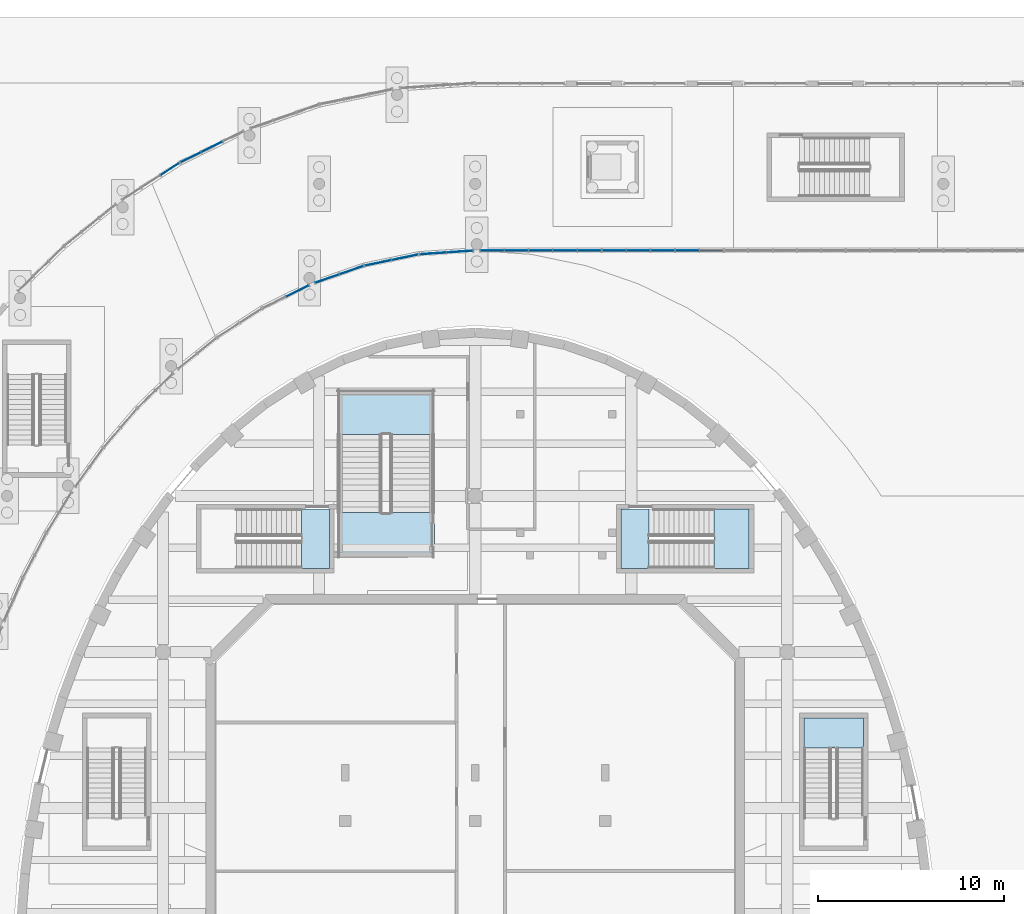
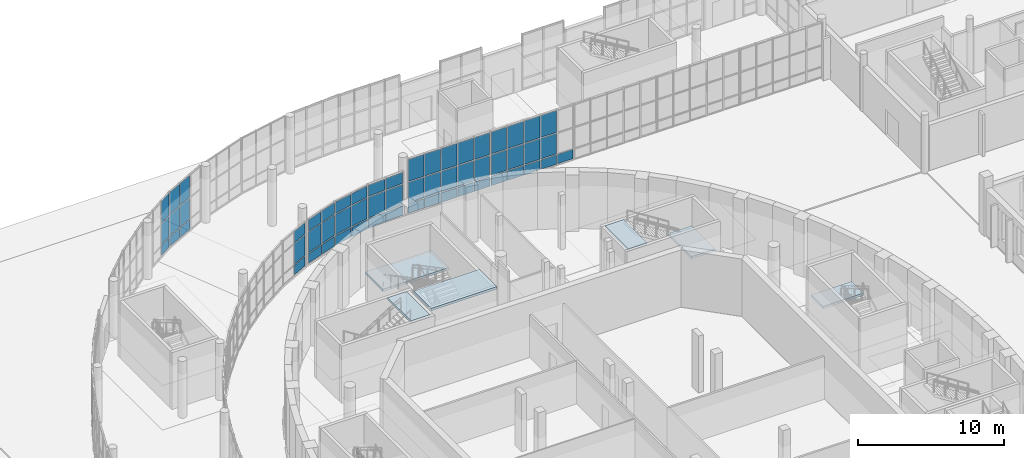
# One storey, part 49 of 110: 58 plates, 6 slabs, 12 elements without a shape of their own.
"""IFC4 building model written with IfcOpenShell, lengths in metres."""

from ifc_helpers import new_model, si_unit, direction, frame, origin, origin_2d, place, context, subcontext, project, spatial, polyline, rectangle, outline, extrude, material, layer, layer_set, type_object, element, aggregate, save


model = new_model("IFC4")

# Units and contexts
model_context = context("Model", 3, precision=1e-05, world=origin(), true_north=direction((0.0, 1.0)))
body_context = subcontext(model_context, "Body", "Model", "MODEL_VIEW")
ifc_project = project(units=[si_unit("LENGTHUNIT", "METRE"), si_unit("AREAUNIT", "SQUARE_METRE"), si_unit("VOLUMEUNIT", "CUBIC_METRE"), si_unit("PLANEANGLEUNIT", "RADIAN"), si_unit("MASSUNIT", "GRAM", prefix="KILO")], contexts=[model_context])

# Site, building, storey
site_placement = place(None, origin())
site = spatial("IfcSite", under=ifc_project, at=site_placement, CompositionType="ELEMENT")
building_placement = place(site_placement, origin())
building = spatial("IfcBuilding", under=site, at=building_placement, Name="Larchfold Concert Hall", CompositionType="ELEMENT")
storey_placement = place(building_placement, origin())
storey = spatial("IfcBuildingStorey", under=building, at=storey_placement, Name="L00", CompositionType="ELEMENT", Elevation=0.0)

# Curtain wall, plates
ifc_material_1 = material(Name="Anodised graphite aluminium curtain wall", Category="aluminium")
ifc_layer_1 = layer(ifc_material_1, 0.14990234375)
ifc_layer_set_1 = layer_set([ifc_layer_1], Name="Anodised graphite aluminium curtain wall")
curtain_wall_type = type_object("IfcCurtainWallType", Name="Curtain wall WG", PredefinedType="NOTDEFINED", material=ifc_layer_set_1)
curtain_wall_1_placement = place(storey_placement, origin())
curtain_wall_1 = element("IfcCurtainWall", 1, at=curtain_wall_1_placement, inside=storey, type_object=curtain_wall_type, Name="Curtain wall CW0086", PredefinedType="NOTDEFINED")
ifc_material_2 = material(Name="Insulated glazing unit, glass", Category="glass")
ifc_layer_2 = layer(ifc_material_2, 0.028076171875)
ifc_layer_set_2 = layer_set([ifc_layer_2], Name="Insulated glazing unit, glass")
plate_type_1 = type_object("IfcPlateType", Name="Glass panel 28", PredefinedType="CURTAIN_PANEL", material=ifc_layer_set_2)
plate_1_placement = place(storey_placement, frame((33.030029296875, 120.829345703125, 0.93994140625), z_axis=(0.0, 0.0, 1.0), x_axis=(0.896864773907, 0.442304846598, 0.0)))
plate_1 = element("IfcPlate", 2, at=plate_1_placement, type_object=plate_type_1, Name="CW0086 panel 2.2", PredefinedType="CURTAIN_PANEL", context=body_context, shape_type="SweptSolid", body=[
    extrude(rectangle(XDim=1.324462890625, YDim=0.028076171875, at=origin_2d()), origin(), (0.0, 0.0, 1.0), 1.719970703125),
])
plate_2_placement = place(storey_placement, frame((33.030029296875, 120.829345703125, 2.740234375), z_axis=(0.0, 0.0, 1.0), x_axis=(0.896864773907, 0.442304846598, 0.0)))
plate_2 = element("IfcPlate", 3, at=plate_2_placement, type_object=plate_type_1, Name="CW0086 panel 2.3", PredefinedType="CURTAIN_PANEL", context=body_context, shape_type="SweptSolid", body=[
    extrude(rectangle(XDim=1.324462890625, YDim=0.028076171875, at=origin_2d()), origin(), (0.0, 0.0, 1.0), 0.929931640625),
])

curtain_wall_2_placement = place(storey_placement, origin())
curtain_wall_2 = element("IfcCurtainWall", 4, at=curtain_wall_2_placement, inside=storey, type_object=curtain_wall_type, Name="Curtain wall CW0087", PredefinedType="NOTDEFINED")
plate_3_placement = place(storey_placement, frame((34.627685546875, 121.49609375, 0.93994140625), z_axis=(0.0, 0.0, 1.0), x_axis=(0.944341810504, 0.32896587199, 0.0)))
plate_3 = element("IfcPlate", 5, at=plate_3_placement, type_object=plate_type_1, Name="CW0087 panel 1.2", PredefinedType="CURTAIN_PANEL", context=body_context, shape_type="SweptSolid", body=[
    extrude(rectangle(XDim=1.32421875, YDim=0.028076171875, at=origin_2d()), origin(), (0.0, 0.0, 1.0), 1.719970703125),
])
plate_4_placement = place(storey_placement, frame((34.627685546875, 121.49609375, 2.740234375), z_axis=(0.0, 0.0, 1.0), x_axis=(0.944341810504, 0.32896587199, 0.0)))
plate_4 = element("IfcPlate", 6, at=plate_4_placement, type_object=plate_type_1, Name="CW0087 panel 1.3", PredefinedType="CURTAIN_PANEL", context=body_context, shape_type="SweptSolid", body=[
    extrude(rectangle(XDim=1.32421875, YDim=0.028076171875, at=origin_2d()), origin(), (0.0, 0.0, 1.0), 0.929931640625),
])
plate_5_placement = place(storey_placement, frame((35.934814453125, 121.951416015625, 0.93994140625), z_axis=(0.0, 0.0, 1.0), x_axis=(0.944341810504, 0.32896587199, 0.0)))
plate_5 = element("IfcPlate", 7, at=plate_5_placement, type_object=plate_type_1, Name="CW0087 panel 2.2", PredefinedType="CURTAIN_PANEL", context=body_context, shape_type="SweptSolid", body=[
    extrude(rectangle(XDim=1.32421875, YDim=0.028076171875, at=origin_2d()), origin(), (0.0, 0.0, 1.0), 1.719970703125),
])
plate_6_placement = place(storey_placement, frame((35.934814453125, 121.951416015625, 2.740234375), z_axis=(0.0, 0.0, 1.0), x_axis=(0.944341810504, 0.32896587199, 0.0)))
plate_6 = element("IfcPlate", 8, at=plate_6_placement, type_object=plate_type_1, Name="CW0087 panel 2.3", PredefinedType="CURTAIN_PANEL", context=body_context, shape_type="SweptSolid", body=[
    extrude(rectangle(XDim=1.32421875, YDim=0.028076171875, at=origin_2d()), origin(), (0.0, 0.0, 1.0), 0.929931640625),
])

curtain_wall_3_placement = place(storey_placement, origin())
curtain_wall_3 = element("IfcCurtainWall", 9, at=curtain_wall_3_placement, inside=storey, type_object=curtain_wall_type, Name="Curtain wall CW0088", PredefinedType="NOTDEFINED")
plate_7_placement = place(storey_placement, frame((37.370361328125, 122.34521484375, 0.93994140625), z_axis=(0.0, 0.0, 1.0), x_axis=(0.979165703957, 0.203062857741, 0.0)))
plate_7 = element("IfcPlate", 10, at=plate_7_placement, type_object=plate_type_1, Name="CW0088 panel 1.2", PredefinedType="CURTAIN_PANEL", context=body_context, shape_type="SweptSolid", body=[
    extrude(rectangle(XDim=1.41943359375, YDim=0.028076171875, at=origin_2d()), origin(), (0.0, 0.0, 1.0), 1.719970703125),
])
plate_8_placement = place(storey_placement, frame((37.370361328125, 122.34521484375, 2.740234375), z_axis=(0.0, 0.0, 1.0), x_axis=(0.979165703957, 0.203062857741, 0.0)))
plate_8 = element("IfcPlate", 11, at=plate_8_placement, type_object=plate_type_1, Name="CW0088 panel 1.3", PredefinedType="CURTAIN_PANEL", context=body_context, shape_type="SweptSolid", body=[
    extrude(rectangle(XDim=1.41943359375, YDim=0.028076171875, at=origin_2d()), origin(), (0.0, 0.0, 1.0), 0.929931640625),
])
plate_9_placement = place(storey_placement, frame((38.819091796875, 122.645751953125, 0.93994140625), z_axis=(0.0, 0.0, 1.0), x_axis=(0.979165703957, 0.203062857741, 0.0)))
plate_9 = element("IfcPlate", 12, at=plate_9_placement, type_object=plate_type_1, Name="CW0088 panel 2.2", PredefinedType="CURTAIN_PANEL", context=body_context, shape_type="SweptSolid", body=[
    extrude(rectangle(XDim=1.41943359375, YDim=0.028076171875, at=origin_2d()), origin(), (0.0, 0.0, 1.0), 1.719970703125),
])
plate_10_placement = place(storey_placement, frame((38.819091796875, 122.645751953125, 2.740234375), z_axis=(0.0, 0.0, 1.0), x_axis=(0.979165703957, 0.203062857741, 0.0)))
plate_10 = element("IfcPlate", 13, at=plate_10_placement, type_object=plate_type_1, Name="CW0088 panel 2.3", PredefinedType="CURTAIN_PANEL", context=body_context, shape_type="SweptSolid", body=[
    extrude(rectangle(XDim=1.41943359375, YDim=0.028076171875, at=origin_2d()), origin(), (0.0, 0.0, 1.0), 0.929931640625),
])

curtain_wall_4_placement = place(storey_placement, origin())
curtain_wall_4 = element("IfcCurtainWall", 14, at=curtain_wall_4_placement, inside=storey, type_object=curtain_wall_type, Name="Curtain wall CW0089", PredefinedType="NOTDEFINED")
plate_11_placement = place(storey_placement, frame((40.323486328125, 122.853759765625, 0.93994140625), z_axis=(0.0, 0.0, 1.0), x_axis=(0.997637375842, 0.068699827674, 0.0)))
plate_11 = element("IfcPlate", 15, at=plate_11_placement, type_object=plate_type_1, Name="CW0089 panel 1.2", PredefinedType="CURTAIN_PANEL", context=body_context, shape_type="SweptSolid", body=[
    extrude(rectangle(XDim=1.384765625, YDim=0.028076171875, at=origin_2d()), origin(), (0.0, 0.0, 1.0), 1.719970703125),
])
plate_12_placement = place(storey_placement, frame((40.323486328125, 122.853759765625, 2.740234375), z_axis=(0.0, 0.0, 1.0), x_axis=(0.997637375842, 0.068699827674, 0.0)))
plate_12 = element("IfcPlate", 16, at=plate_12_placement, type_object=plate_type_1, Name="CW0089 panel 1.3", PredefinedType="CURTAIN_PANEL", context=body_context, shape_type="SweptSolid", body=[
    extrude(rectangle(XDim=1.384765625, YDim=0.028076171875, at=origin_2d()), origin(), (0.0, 0.0, 1.0), 0.929931640625),
])
plate_13_placement = place(storey_placement, frame((41.7646484375, 122.952880859375, 0.93994140625), z_axis=(0.0, 0.0, 1.0), x_axis=(0.997637375842, 0.068699827674, 0.0)))
plate_13 = element("IfcPlate", 17, at=plate_13_placement, type_object=plate_type_1, Name="CW0089 panel 2.2", PredefinedType="CURTAIN_PANEL", context=body_context, shape_type="SweptSolid", body=[
    extrude(rectangle(XDim=1.384765625, YDim=0.028076171875, at=origin_2d()), origin(), (0.0, 0.0, 1.0), 1.719970703125),
])
plate_14_placement = place(storey_placement, frame((41.7646484375, 122.952880859375, 2.740234375), z_axis=(0.0, 0.0, 1.0), x_axis=(0.997637375842, 0.068699827674, 0.0)))
plate_14 = element("IfcPlate", 18, at=plate_14_placement, type_object=plate_type_1, Name="CW0089 panel 2.3", PredefinedType="CURTAIN_PANEL", context=body_context, shape_type="SweptSolid", body=[
    extrude(rectangle(XDim=1.384765625, YDim=0.028076171875, at=origin_2d()), origin(), (0.0, 0.0, 1.0), 0.929931640625),
])

curtain_wall_5_placement = place(storey_placement, origin())
curtain_wall_5 = element("IfcCurtainWall", 19, at=curtain_wall_5_placement, inside=storey, type_object=curtain_wall_type, Name="Curtain wall CW0090", PredefinedType="NOTDEFINED")
plate_15_placement = place(storey_placement, frame((43.513671875, 123.0, 0.93994140625), z_axis=(0.0, 0.0, 1.0), x_axis=(1.0, 0.0, 0.0)))
plate_15 = element("IfcPlate", 20, at=plate_15_placement, type_object=plate_type_1, Name="CW0090 panel 1.2", PredefinedType="CURTAIN_PANEL", context=body_context, shape_type="SweptSolid", body=[
    extrude(rectangle(XDim=1.22412109375, YDim=0.028076171875, at=origin_2d()), origin(), (0.0, 0.0, 1.0), 1.719970703125),
])
plate_16_placement = place(storey_placement, frame((43.513671875, 123.0, 2.740234375), z_axis=(0.0, 0.0, 1.0), x_axis=(1.0, 0.0, 0.0)))
plate_16 = element("IfcPlate", 21, at=plate_16_placement, type_object=plate_type_1, Name="CW0090 panel 1.3", PredefinedType="CURTAIN_PANEL", context=body_context, shape_type="SweptSolid", body=[
    extrude(rectangle(XDim=1.22412109375, YDim=0.028076171875, at=origin_2d()), origin(), (0.0, 0.0, 1.0), 1.829833984375),
])
plate_17_placement = place(storey_placement, frame((44.812744140625, 123.0, 0.93994140625), z_axis=(0.0, 0.0, 1.0), x_axis=(1.0, 0.0, 0.0)))
plate_17 = element("IfcPlate", 22, at=plate_17_placement, type_object=plate_type_1, Name="CW0090 panel 2.2", PredefinedType="CURTAIN_PANEL", context=body_context, shape_type="SweptSolid", body=[
    extrude(rectangle(XDim=1.254150390625, YDim=0.028076171875, at=origin_2d()), origin(), (0.0, 0.0, 1.0), 1.719970703125),
])
plate_18_placement = place(storey_placement, frame((44.812744140625, 123.0, 2.740234375), z_axis=(0.0, 0.0, 1.0), x_axis=(1.0, 0.0, 0.0)))
plate_18 = element("IfcPlate", 23, at=plate_18_placement, type_object=plate_type_1, Name="CW0090 panel 2.3", PredefinedType="CURTAIN_PANEL", context=body_context, shape_type="SweptSolid", body=[
    extrude(rectangle(XDim=1.254150390625, YDim=0.028076171875, at=origin_2d()), origin(), (0.0, 0.0, 1.0), 1.829833984375),
])
plate_19_placement = place(storey_placement, frame((46.126708984375, 123.0, 0.93994140625), z_axis=(0.0, 0.0, 1.0), x_axis=(1.0, 0.0, 0.0)))
plate_19 = element("IfcPlate", 24, at=plate_19_placement, type_object=plate_type_1, Name="CW0090 panel 3.2", PredefinedType="CURTAIN_PANEL", context=body_context, shape_type="SweptSolid", body=[
    extrude(rectangle(XDim=1.254150390625, YDim=0.028076171875, at=origin_2d()), origin(), (0.0, 0.0, 1.0), 1.719970703125),
])
plate_20_placement = place(storey_placement, frame((46.126708984375, 123.0, 2.740234375), z_axis=(0.0, 0.0, 1.0), x_axis=(1.0, 0.0, 0.0)))
plate_20 = element("IfcPlate", 25, at=plate_20_placement, type_object=plate_type_1, Name="CW0090 panel 3.3", PredefinedType="CURTAIN_PANEL", context=body_context, shape_type="SweptSolid", body=[
    extrude(rectangle(XDim=1.254150390625, YDim=0.028076171875, at=origin_2d()), origin(), (0.0, 0.0, 1.0), 1.829833984375),
])
plate_21_placement = place(storey_placement, frame((47.440673828125, 123.0, 0.93994140625), z_axis=(0.0, 0.0, 1.0), x_axis=(1.0, 0.0, 0.0)))
plate_21 = element("IfcPlate", 26, at=plate_21_placement, type_object=plate_type_1, Name="CW0090 panel 4.2", PredefinedType="CURTAIN_PANEL", context=body_context, shape_type="SweptSolid", body=[
    extrude(rectangle(XDim=1.254150390625, YDim=0.028076171875, at=origin_2d()), origin(), (0.0, 0.0, 1.0), 1.719970703125),
])
plate_22_placement = place(storey_placement, frame((47.440673828125, 123.0, 2.740234375), z_axis=(0.0, 0.0, 1.0), x_axis=(1.0, 0.0, 0.0)))
plate_22 = element("IfcPlate", 27, at=plate_22_placement, type_object=plate_type_1, Name="CW0090 panel 4.3", PredefinedType="CURTAIN_PANEL", context=body_context, shape_type="SweptSolid", body=[
    extrude(rectangle(XDim=1.254150390625, YDim=0.028076171875, at=origin_2d()), origin(), (0.0, 0.0, 1.0), 1.829833984375),
])
plate_23_placement = place(storey_placement, frame((48.73974609375, 123.0, 0.93994140625), z_axis=(0.0, 0.0, 1.0), x_axis=(1.0, 0.0, 0.0)))
plate_23 = element("IfcPlate", 28, at=plate_23_placement, type_object=plate_type_1, Name="CW0090 panel 5.2", PredefinedType="CURTAIN_PANEL", context=body_context, shape_type="SweptSolid", body=[
    extrude(rectangle(XDim=1.22412109375, YDim=0.028076171875, at=origin_2d()), origin(), (0.0, 0.0, 1.0), 1.719970703125),
])
plate_24_placement = place(storey_placement, frame((48.73974609375, 123.0, 2.740234375), z_axis=(0.0, 0.0, 1.0), x_axis=(1.0, 0.0, 0.0)))
plate_24 = element("IfcPlate", 29, at=plate_24_placement, type_object=plate_type_1, Name="CW0090 panel 5.3", PredefinedType="CURTAIN_PANEL", context=body_context, shape_type="SweptSolid", body=[
    extrude(rectangle(XDim=1.22412109375, YDim=0.028076171875, at=origin_2d()), origin(), (0.0, 0.0, 1.0), 1.829833984375),
])

curtain_wall_6_placement = place(storey_placement, origin())
curtain_wall_6 = element("IfcCurtainWall", 30, at=curtain_wall_6_placement, inside=storey, type_object=curtain_wall_type, Name="Curtain wall CW0091", PredefinedType="NOTDEFINED")
plate_25_placement = place(storey_placement, frame((50.083984375, 123.0, 0.93994140625), z_axis=(0.0, 0.0, 1.0), x_axis=(1.0, 0.0, 0.0)))
plate_25 = element("IfcPlate", 31, at=plate_25_placement, type_object=plate_type_1, Name="CW0091 panel 1.2", PredefinedType="CURTAIN_PANEL", context=body_context, shape_type="SweptSolid", body=[
    extrude(rectangle(XDim=1.22412109375, YDim=0.028076171875, at=origin_2d()), origin(), (0.0, 0.0, 1.0), 1.719970703125),
])
plate_26_placement = place(storey_placement, frame((50.083984375, 123.0, 2.740234375), z_axis=(0.0, 0.0, 1.0), x_axis=(1.0, 0.0, 0.0)))
plate_26 = element("IfcPlate", 32, at=plate_26_placement, type_object=plate_type_1, Name="CW0091 panel 1.3", PredefinedType="CURTAIN_PANEL", context=body_context, shape_type="SweptSolid", body=[
    extrude(rectangle(XDim=1.22412109375, YDim=0.028076171875, at=origin_2d()), origin(), (0.0, 0.0, 1.0), 1.829833984375),
])
plate_27_placement = place(storey_placement, frame((51.3828125, 123.0, 0.93994140625), z_axis=(0.0, 0.0, 1.0), x_axis=(1.0, 0.0, 0.0)))
plate_27 = element("IfcPlate", 33, at=plate_27_placement, type_object=plate_type_1, Name="CW0091 panel 2.2", PredefinedType="CURTAIN_PANEL", context=body_context, shape_type="SweptSolid", body=[
    extrude(rectangle(XDim=1.25390625, YDim=0.028076171875, at=origin_2d()), origin(), (0.0, 0.0, 1.0), 1.719970703125),
])
plate_28_placement = place(storey_placement, frame((51.3828125, 123.0, 2.740234375), z_axis=(0.0, 0.0, 1.0), x_axis=(1.0, 0.0, 0.0)))
plate_28 = element("IfcPlate", 34, at=plate_28_placement, type_object=plate_type_1, Name="CW0091 panel 2.3", PredefinedType="CURTAIN_PANEL", context=body_context, shape_type="SweptSolid", body=[
    extrude(rectangle(XDim=1.25390625, YDim=0.028076171875, at=origin_2d()), origin(), (0.0, 0.0, 1.0), 1.829833984375),
])
plate_29_placement = place(storey_placement, frame((52.69677734375, 123.0, 0.93994140625), z_axis=(0.0, 0.0, 1.0), x_axis=(1.0, 0.0, 0.0)))
plate_29 = element("IfcPlate", 35, at=plate_29_placement, type_object=plate_type_1, Name="CW0091 panel 3.2", PredefinedType="CURTAIN_PANEL", context=body_context, shape_type="SweptSolid", body=[
    extrude(rectangle(XDim=1.25390625, YDim=0.028076171875, at=origin_2d()), origin(), (0.0, 0.0, 1.0), 1.719970703125),
])
plate_30_placement = place(storey_placement, frame((52.69677734375, 123.0, 2.740234375), z_axis=(0.0, 0.0, 1.0), x_axis=(1.0, 0.0, 0.0)))
plate_30 = element("IfcPlate", 36, at=plate_30_placement, type_object=plate_type_1, Name="CW0091 panel 3.3", PredefinedType="CURTAIN_PANEL", context=body_context, shape_type="SweptSolid", body=[
    extrude(rectangle(XDim=1.25390625, YDim=0.028076171875, at=origin_2d()), origin(), (0.0, 0.0, 1.0), 1.829833984375),
])
plate_31_placement = place(storey_placement, frame((54.010986328125, 123.0, 0.93994140625), z_axis=(0.0, 0.0, 1.0), x_axis=(1.0, 0.0, 0.0)))
plate_31 = element("IfcPlate", 37, at=plate_31_placement, type_object=plate_type_1, Name="CW0091 panel 4.2", PredefinedType="CURTAIN_PANEL", context=body_context, shape_type="SweptSolid", body=[
    extrude(rectangle(XDim=1.25390625, YDim=0.028076171875, at=origin_2d()), origin(), (0.0, 0.0, 1.0), 1.719970703125),
])
plate_32_placement = place(storey_placement, frame((54.010986328125, 123.0, 2.740234375), z_axis=(0.0, 0.0, 1.0), x_axis=(1.0, 0.0, 0.0)))
plate_32 = element("IfcPlate", 38, at=plate_32_placement, type_object=plate_type_1, Name="CW0091 panel 4.3", PredefinedType="CURTAIN_PANEL", context=body_context, shape_type="SweptSolid", body=[
    extrude(rectangle(XDim=1.25390625, YDim=0.028076171875, at=origin_2d()), origin(), (0.0, 0.0, 1.0), 1.829833984375),
])

curtain_wall_7_placement = place(storey_placement, origin())
curtain_wall_7 = element("IfcCurtainWall", 39, at=curtain_wall_7_placement, inside=storey, type_object=curtain_wall_type, Name="Curtain wall CW0104", PredefinedType="NOTDEFINED")
plate_33_placement = place(storey_placement, frame((28.42236328125, 128.591796875, 0.93994140625), z_axis=(0.0, 0.0, 1.0), x_axis=(-0.896826030069, -0.44238339909, 0.0)))
plate_33 = element("IfcPlate", 40, at=plate_33_placement, type_object=plate_type_1, Name="CW0104 panel 2.2", PredefinedType="CURTAIN_PANEL", context=body_context, shape_type="SweptSolid", body=[
    extrude(rectangle(XDim=1.22216796875, YDim=0.028076171875, at=origin_2d()), origin(), (0.0, 0.0, 1.0), 1.719970703125),
])
plate_34_placement = place(storey_placement, frame((28.42236328125, 128.591796875, 2.740234375), z_axis=(0.0, 0.0, 1.0), x_axis=(-0.896826030069, -0.44238339909, 0.0)))
plate_34 = element("IfcPlate", 41, at=plate_34_placement, type_object=plate_type_1, Name="CW0104 panel 2.3", PredefinedType="CURTAIN_PANEL", context=body_context, shape_type="SweptSolid", body=[
    extrude(rectangle(XDim=1.22216796875, YDim=0.028076171875, at=origin_2d()), origin(), (0.0, 0.0, 1.0), 1.829833984375),
])
plate_35_placement = place(storey_placement, frame((27.285888671875, 128.03125, 0.93994140625), z_axis=(0.0, 0.0, 1.0), x_axis=(-0.896826030069, -0.44238339909, 0.0)))
plate_35 = element("IfcPlate", 42, at=plate_35_placement, type_object=plate_type_1, Name="CW0104 panel 3.2", PredefinedType="CURTAIN_PANEL", context=body_context, shape_type="SweptSolid", body=[
    extrude(rectangle(XDim=1.192138671875, YDim=0.028076171875, at=origin_2d()), origin(), (0.0, 0.0, 1.0), 1.719970703125),
])
plate_36_placement = place(storey_placement, frame((27.285888671875, 128.03125, 2.740234375), z_axis=(0.0, 0.0, 1.0), x_axis=(-0.896826030069, -0.44238339909, 0.0)))
plate_36 = element("IfcPlate", 43, at=plate_36_placement, type_object=plate_type_1, Name="CW0104 panel 3.3", PredefinedType="CURTAIN_PANEL", context=body_context, shape_type="SweptSolid", body=[
    extrude(rectangle(XDim=1.192138671875, YDim=0.028076171875, at=origin_2d()), origin(), (0.0, 0.0, 1.0), 1.829833984375),
])

curtain_wall_8_placement = place(storey_placement, origin())
curtain_wall_8 = element("IfcCurtainWall", 44, at=curtain_wall_8_placement, inside=storey, type_object=curtain_wall_type, Name="Curtain wall CW0105", PredefinedType="NOTDEFINED")
plate_37_placement = place(storey_placement, frame((26.162353515625, 127.39599609375, 0.93994140625), z_axis=(0.0, 0.0, 1.0), x_axis=(-0.840531289651, -0.541763002722, 0.0)))
plate_37 = element("IfcPlate", 45, at=plate_37_placement, type_object=plate_type_1, Name="CW0105 panel 1.2", PredefinedType="CURTAIN_PANEL", context=body_context, shape_type="SweptSolid", body=[
    extrude(rectangle(XDim=1.153076171875, YDim=0.028076171875, at=origin_2d()), origin(), (0.0, 0.0, 1.0), 1.719970703125),
])
plate_38_placement = place(storey_placement, frame((26.162353515625, 127.39599609375, 2.740234375), z_axis=(0.0, 0.0, 1.0), x_axis=(-0.840531289651, -0.541763002722, 0.0)))
plate_38 = element("IfcPlate", 46, at=plate_38_placement, type_object=plate_type_1, Name="CW0105 panel 1.3", PredefinedType="CURTAIN_PANEL", context=body_context, shape_type="SweptSolid", body=[
    extrude(rectangle(XDim=1.153076171875, YDim=0.028076171875, at=origin_2d()), origin(), (0.0, 0.0, 1.0), 1.829833984375),
])

# Plate
ifc_material_3 = material(Name="White insulated panel")
ifc_layer_3 = layer(ifc_material_3, 0.06005859375)
ifc_layer_set_3 = layer_set([ifc_layer_3], Name="White insulated panel")
plate_type_2 = type_object("IfcPlateType", Name="Insulated spandrel panel 60", PredefinedType="CURTAIN_PANEL", material=ifc_layer_set_3)
plate_39_placement = place(storey_placement, frame((33.030029296875, 120.829345703125, 0.080078125), z_axis=(0.0, 0.0, 1.0), x_axis=(0.896864773907, 0.442304846598, 0.0)))
plate_39 = element("IfcPlate", 47, at=plate_39_placement, type_object=plate_type_2, Name="CW0086 panel 2.1", PredefinedType="CURTAIN_PANEL", context=body_context, shape_type="SweptSolid", body=[
    extrude(rectangle(XDim=1.324462890625, YDim=0.06005859375, at=origin_2d()), origin(), (0.0, 0.0, 1.0), 0.77978515625),
])

aggregate(curtain_wall_1, [plate_39, plate_1, plate_2])

plate_40_placement = place(storey_placement, frame((34.627685546875, 121.49609375, 0.080078125), z_axis=(0.0, 0.0, 1.0), x_axis=(0.944341810504, 0.32896587199, 0.0)))
plate_40 = element("IfcPlate", 48, at=plate_40_placement, type_object=plate_type_2, Name="CW0087 panel 1.1", PredefinedType="CURTAIN_PANEL", context=body_context, shape_type="SweptSolid", body=[
    extrude(rectangle(XDim=1.32421875, YDim=0.06005859375, at=origin_2d()), origin(), (0.0, 0.0, 1.0), 0.77978515625),
])

plate_41_placement = place(storey_placement, frame((35.934814453125, 121.951416015625, 0.080078125), z_axis=(0.0, 0.0, 1.0), x_axis=(0.944341810504, 0.32896587199, 0.0)))
plate_41 = element("IfcPlate", 49, at=plate_41_placement, type_object=plate_type_2, Name="CW0087 panel 2.1", PredefinedType="CURTAIN_PANEL", context=body_context, shape_type="SweptSolid", body=[
    extrude(rectangle(XDim=1.32421875, YDim=0.06005859375, at=origin_2d()), origin(), (0.0, 0.0, 1.0), 0.77978515625),
])

aggregate(curtain_wall_2, [plate_40, plate_3, plate_4, plate_41, plate_5, plate_6])

plate_42_placement = place(storey_placement, frame((37.370361328125, 122.34521484375, 0.080078125), z_axis=(0.0, 0.0, 1.0), x_axis=(0.979165703957, 0.203062857741, 0.0)))
plate_42 = element("IfcPlate", 50, at=plate_42_placement, type_object=plate_type_2, Name="CW0088 panel 1.1", PredefinedType="CURTAIN_PANEL", context=body_context, shape_type="SweptSolid", body=[
    extrude(rectangle(XDim=1.41943359375, YDim=0.06005859375, at=origin_2d()), origin(), (0.0, 0.0, 1.0), 0.77978515625),
])

plate_43_placement = place(storey_placement, frame((38.819091796875, 122.645751953125, 0.080078125), z_axis=(0.0, 0.0, 1.0), x_axis=(0.979165703957, 0.203062857741, 0.0)))
plate_43 = element("IfcPlate", 51, at=plate_43_placement, type_object=plate_type_2, Name="CW0088 panel 2.1", PredefinedType="CURTAIN_PANEL", context=body_context, shape_type="SweptSolid", body=[
    extrude(rectangle(XDim=1.41943359375, YDim=0.06005859375, at=origin_2d()), origin(), (0.0, 0.0, 1.0), 0.77978515625),
])

aggregate(curtain_wall_3, [plate_42, plate_7, plate_8, plate_43, plate_9, plate_10])

plate_44_placement = place(storey_placement, frame((40.323486328125, 122.853759765625, 0.080078125), z_axis=(0.0, 0.0, 1.0), x_axis=(0.997637375842, 0.068699827674, 0.0)))
plate_44 = element("IfcPlate", 52, at=plate_44_placement, type_object=plate_type_2, Name="CW0089 panel 1.1", PredefinedType="CURTAIN_PANEL", context=body_context, shape_type="SweptSolid", body=[
    extrude(rectangle(XDim=1.384765625, YDim=0.06005859375, at=origin_2d()), origin(), (0.0, 0.0, 1.0), 0.77978515625),
])

plate_45_placement = place(storey_placement, frame((41.7646484375, 122.952880859375, 0.080078125), z_axis=(0.0, 0.0, 1.0), x_axis=(0.997637375842, 0.068699827674, 0.0)))
plate_45 = element("IfcPlate", 53, at=plate_45_placement, type_object=plate_type_2, Name="CW0089 panel 2.1", PredefinedType="CURTAIN_PANEL", context=body_context, shape_type="SweptSolid", body=[
    extrude(rectangle(XDim=1.384765625, YDim=0.06005859375, at=origin_2d()), origin(), (0.0, 0.0, 1.0), 0.77978515625),
])

aggregate(curtain_wall_4, [plate_44, plate_11, plate_12, plate_45, plate_13, plate_14])

plate_46_placement = place(storey_placement, frame((43.513671875, 123.0, 0.080078125), z_axis=(0.0, 0.0, 1.0), x_axis=(1.0, 0.0, 0.0)))
plate_46 = element("IfcPlate", 54, at=plate_46_placement, type_object=plate_type_2, Name="CW0090 panel 1.1", PredefinedType="CURTAIN_PANEL", context=body_context, shape_type="SweptSolid", body=[
    extrude(rectangle(XDim=1.22412109375, YDim=0.06005859375, at=origin_2d()), origin(), (0.0, 0.0, 1.0), 0.77978515625),
])

plate_47_placement = place(storey_placement, frame((44.812744140625, 123.0, 0.080078125), z_axis=(0.0, 0.0, 1.0), x_axis=(1.0, 0.0, 0.0)))
plate_47 = element("IfcPlate", 55, at=plate_47_placement, type_object=plate_type_2, Name="CW0090 panel 2.1", PredefinedType="CURTAIN_PANEL", context=body_context, shape_type="SweptSolid", body=[
    extrude(rectangle(XDim=1.254150390625, YDim=0.06005859375, at=origin_2d()), origin(), (0.0, 0.0, 1.0), 0.77978515625),
])

plate_48_placement = place(storey_placement, frame((46.126708984375, 123.0, 0.080078125), z_axis=(0.0, 0.0, 1.0), x_axis=(1.0, 0.0, 0.0)))
plate_48 = element("IfcPlate", 56, at=plate_48_placement, type_object=plate_type_2, Name="CW0090 panel 3.1", PredefinedType="CURTAIN_PANEL", context=body_context, shape_type="SweptSolid", body=[
    extrude(rectangle(XDim=1.254150390625, YDim=0.06005859375, at=origin_2d()), origin(), (0.0, 0.0, 1.0), 0.77978515625),
])

plate_49_placement = place(storey_placement, frame((47.440673828125, 123.0, 0.080078125), z_axis=(0.0, 0.0, 1.0), x_axis=(1.0, 0.0, 0.0)))
plate_49 = element("IfcPlate", 57, at=plate_49_placement, type_object=plate_type_2, Name="CW0090 panel 4.1", PredefinedType="CURTAIN_PANEL", context=body_context, shape_type="SweptSolid", body=[
    extrude(rectangle(XDim=1.254150390625, YDim=0.06005859375, at=origin_2d()), origin(), (0.0, 0.0, 1.0), 0.77978515625),
])

plate_50_placement = place(storey_placement, frame((48.73974609375, 123.0, 0.080078125), z_axis=(0.0, 0.0, 1.0), x_axis=(1.0, 0.0, 0.0)))
plate_50 = element("IfcPlate", 58, at=plate_50_placement, type_object=plate_type_2, Name="CW0090 panel 5.1", PredefinedType="CURTAIN_PANEL", context=body_context, shape_type="SweptSolid", body=[
    extrude(rectangle(XDim=1.22412109375, YDim=0.06005859375, at=origin_2d()), origin(), (0.0, 0.0, 1.0), 0.77978515625),
])

aggregate(curtain_wall_5, [plate_46, plate_15, plate_16, plate_47, plate_17, plate_18, plate_48, plate_19, plate_20, plate_49, plate_21, plate_22, plate_50, plate_23, plate_24])

plate_51_placement = place(storey_placement, frame((50.083984375, 123.0, 0.080078125), z_axis=(0.0, 0.0, 1.0), x_axis=(1.0, 0.0, 0.0)))
plate_51 = element("IfcPlate", 59, at=plate_51_placement, type_object=plate_type_2, Name="CW0091 panel 1.1", PredefinedType="CURTAIN_PANEL", context=body_context, shape_type="SweptSolid", body=[
    extrude(rectangle(XDim=1.22412109375, YDim=0.06005859375, at=origin_2d()), origin(), (0.0, 0.0, 1.0), 0.77978515625),
])

plate_52_placement = place(storey_placement, frame((51.3828125, 123.0, 0.080078125), z_axis=(0.0, 0.0, 1.0), x_axis=(1.0, 0.0, 0.0)))
plate_52 = element("IfcPlate", 60, at=plate_52_placement, type_object=plate_type_2, Name="CW0091 panel 2.1", PredefinedType="CURTAIN_PANEL", context=body_context, shape_type="SweptSolid", body=[
    extrude(rectangle(XDim=1.25390625, YDim=0.06005859375, at=origin_2d()), origin(), (0.0, 0.0, 1.0), 0.77978515625),
])

plate_53_placement = place(storey_placement, frame((52.69677734375, 123.0, 0.080078125), z_axis=(0.0, 0.0, 1.0), x_axis=(1.0, 0.0, 0.0)))
plate_53 = element("IfcPlate", 61, at=plate_53_placement, type_object=plate_type_2, Name="CW0091 panel 3.1", PredefinedType="CURTAIN_PANEL", context=body_context, shape_type="SweptSolid", body=[
    extrude(rectangle(XDim=1.25390625, YDim=0.06005859375, at=origin_2d()), origin(), (0.0, 0.0, 1.0), 0.77978515625),
])

plate_54_placement = place(storey_placement, frame((54.010986328125, 123.0, 0.080078125), z_axis=(0.0, 0.0, 1.0), x_axis=(1.0, 0.0, 0.0)))
plate_54 = element("IfcPlate", 62, at=plate_54_placement, type_object=plate_type_2, Name="CW0091 panel 4.1", PredefinedType="CURTAIN_PANEL", context=body_context, shape_type="SweptSolid", body=[
    extrude(rectangle(XDim=1.25390625, YDim=0.06005859375, at=origin_2d()), origin(), (0.0, 0.0, 1.0), 0.77978515625),
])

plate_55_placement = place(storey_placement, frame((55.309814453125, 123.0, 0.080078125), z_axis=(0.0, 0.0, 1.0), x_axis=(1.0, 0.0, 0.0)))
plate_55 = element("IfcPlate", 63, at=plate_55_placement, type_object=plate_type_2, Name="CW0091 panel 5.1", PredefinedType="CURTAIN_PANEL", context=body_context, shape_type="SweptSolid", body=[
    extrude(rectangle(XDim=1.22412109375, YDim=0.06005859375, at=origin_2d()), origin(), (0.0, 0.0, 1.0), 0.77978515625),
])

aggregate(curtain_wall_6, [plate_51, plate_25, plate_26, plate_52, plate_27, plate_28, plate_53, plate_29, plate_30, plate_54, plate_31, plate_32, plate_55])

plate_56_placement = place(storey_placement, frame((28.42236328125, 128.591796875, 0.080078125), z_axis=(0.0, 0.0, 1.0), x_axis=(-0.896826030069, -0.44238339909, 0.0)))
plate_56 = element("IfcPlate", 64, at=plate_56_placement, type_object=plate_type_2, Name="CW0104 panel 2.1", PredefinedType="CURTAIN_PANEL", context=body_context, shape_type="SweptSolid", body=[
    extrude(rectangle(XDim=1.22216796875, YDim=0.06005859375, at=origin_2d()), origin(), (0.0, 0.0, 1.0), 0.77978515625),
])

plate_57_placement = place(storey_placement, frame((27.285888671875, 128.03125, 0.080078125), z_axis=(0.0, 0.0, 1.0), x_axis=(-0.896826030069, -0.44238339909, 0.0)))
plate_57 = element("IfcPlate", 65, at=plate_57_placement, type_object=plate_type_2, Name="CW0104 panel 3.1", PredefinedType="CURTAIN_PANEL", context=body_context, shape_type="SweptSolid", body=[
    extrude(rectangle(XDim=1.192138671875, YDim=0.06005859375, at=origin_2d()), origin(), (0.0, 0.0, 1.0), 0.77978515625),
])

aggregate(curtain_wall_7, [plate_56, plate_33, plate_34, plate_57, plate_35, plate_36])

plate_58_placement = place(storey_placement, frame((26.162353515625, 127.39599609375, 0.080078125), z_axis=(0.0, 0.0, 1.0), x_axis=(-0.840531289651, -0.541763002722, 0.0)))
plate_58 = element("IfcPlate", 66, at=plate_58_placement, type_object=plate_type_2, Name="CW0105 panel 1.1", PredefinedType="CURTAIN_PANEL", context=body_context, shape_type="SweptSolid", body=[
    extrude(rectangle(XDim=1.153076171875, YDim=0.06005859375, at=origin_2d()), origin(), (0.0, 0.0, 1.0), 0.77978515625),
])

aggregate(curtain_wall_8, [plate_58, plate_37, plate_38])

# Stair, slab
ifc_material_4 = material(Name="Concrete C35/45", Category="concrete")
stair_type_1 = type_object("IfcStairType", Name="Stair RC half-turn enclosed", PredefinedType="HALF_TURN_STAIR", material=ifc_material_4)
stair_1_placement = place(storey_placement, origin())
stair_1 = element("IfcStair", 67, at=stair_1_placement, inside=storey, type_object=stair_type_1, Name="Stair DS1", PredefinedType="HALF_TURN_STAIR")
ifc_material_5 = material(Name="Concrete C35/45", Category="concrete")
ifc_layer_4 = layer(ifc_material_5, 0.199951171875)
ifc_layer_set_4 = layer_set([ifc_layer_4], Name="Concrete C35/45")
slab_type = type_object("IfcSlabType", Name="Stair landing RC 200", PredefinedType="LANDING", material=ifc_layer_set_4)
slab_1_placement = place(storey_placement, frame((0.0, 0.0, 2.199951171875)))
slab_1 = element("IfcSlab", 68, at=slab_1_placement, type_object=slab_type, Name="ST01 landing 1", PredefinedType="LANDING", context=body_context, shape_type="SweptSolid", body=[
    extrude(outline(polyline([(63.5, 96.22998046875), (63.5, 97.85009765625), (60.300048828125, 97.85009765625), (60.300048828125, 96.22998046875), (63.5, 96.22998046875)])), origin(), (0.0, 0.0, 1.0), 0.199951171875),
])
aggregate(stair_1, [slab_1])

# Stair, slabs
stair_2_placement = place(storey_placement, origin())
stair_2 = element("IfcStair", 69, at=stair_2_placement, inside=storey, type_object=stair_type_1, Name="Stair DS2", PredefinedType="HALF_TURN_STAIR")
slab_2_placement = place(storey_placement, frame((0.0, 0.0, 2.199951171875)))
slab_2 = element("IfcSlab", 70, at=slab_2_placement, type_object=slab_type, Name="ST02 landing 1", PredefinedType="LANDING", context=body_context, shape_type="SweptSolid", body=[
    extrude(outline(polyline([(55.4599609375, 105.89990234375), (57.35009765625, 105.89990234375), (57.35009765625, 109.099853515625), (55.4599609375, 109.099853515625), (55.4599609375, 105.89990234375)])), origin(), (0.0, 0.0, 1.0), 0.199951171875),
])
slab_3_placement = place(storey_placement, frame((0.0, 0.0, 4.60009765625)))
slab_3 = element("IfcSlab", 71, at=slab_3_placement, type_object=slab_type, Name="ST02 landing 2", PredefinedType="LANDING", context=body_context, shape_type="SweptSolid", body=[
    extrude(outline(polyline([(50.449951171875, 105.89990234375), (51.949951171875, 105.89990234375), (51.949951171875, 109.10009765625), (50.449951171875, 109.10009765625), (50.449951171875, 105.89990234375)])), origin(), (0.0, 0.0, 1.0), 0.199951171875),
])
aggregate(stair_2, [slab_2, slab_3])

# Stair, slab
stair_3_placement = place(storey_placement, origin())
stair_3 = element("IfcStair", 72, at=stair_3_placement, inside=storey, type_object=stair_type_1, Name="Stair DS3", PredefinedType="HALF_TURN_STAIR")
slab_4_placement = place(storey_placement, frame((0.0, 0.0, 4.60009765625)))
slab_4 = element("IfcSlab", 73, at=slab_4_placement, type_object=slab_type, Name="ST03 landing 2", PredefinedType="LANDING", context=body_context, shape_type="SweptSolid", body=[
    extrude(outline(polyline([(34.75, 109.10009765625), (33.25, 109.10009765625), (33.25, 105.89990234375), (34.75, 105.89990234375), (34.75, 109.10009765625)])), origin(), (0.0, 0.0, 1.0), 0.199951171875),
])
aggregate(stair_3, [slab_4])

# Stair, slabs
ifc_material_6 = material(Name="Concrete C35/45", Category="concrete")
stair_type_2 = type_object("IfcStairType", Name="Stair RC half-turn open", PredefinedType="HALF_TURN_STAIR", material=ifc_material_6)
stair_4_placement = place(storey_placement, origin())
stair_4 = element("IfcStair", 74, at=stair_4_placement, inside=storey, type_object=stair_type_2, Name="Stair PS1", PredefinedType="HALF_TURN_STAIR")
slab_5_placement = place(storey_placement, frame((0.0, 0.0, 2.199951171875)))
slab_5 = element("IfcSlab", 75, at=slab_5_placement, type_object=slab_type, Name="ST27 landing 1", PredefinedType="LANDING", context=body_context, shape_type="SweptSolid", body=[
    extrude(outline(polyline([(40.39990234375, 113.10009765625), (40.39990234375, 115.5), (35.199951171875, 115.5), (35.199951171875, 113.10009765625), (40.39990234375, 113.10009765625)])), origin(), (0.0, 0.0, 1.0), 0.199951171875),
])
slab_6_placement = place(storey_placement, frame((0.0, 0.0, 4.60009765625)))
slab_6 = element("IfcSlab", 76, at=slab_6_placement, type_object=slab_type, Name="ST27 landing 2", PredefinedType="LANDING", context=body_context, shape_type="SweptSolid", body=[
    extrude(outline(polyline([(40.39990234375, 106.5), (40.39990234375, 108.89990234375), (35.199951171875, 108.89990234375), (35.199951171875, 106.5), (40.39990234375, 106.5)])), origin(), (0.0, 0.0, 1.0), 0.199951171875),
])
aggregate(stair_4, [slab_5, slab_6])

save(model, "model.ifc")
